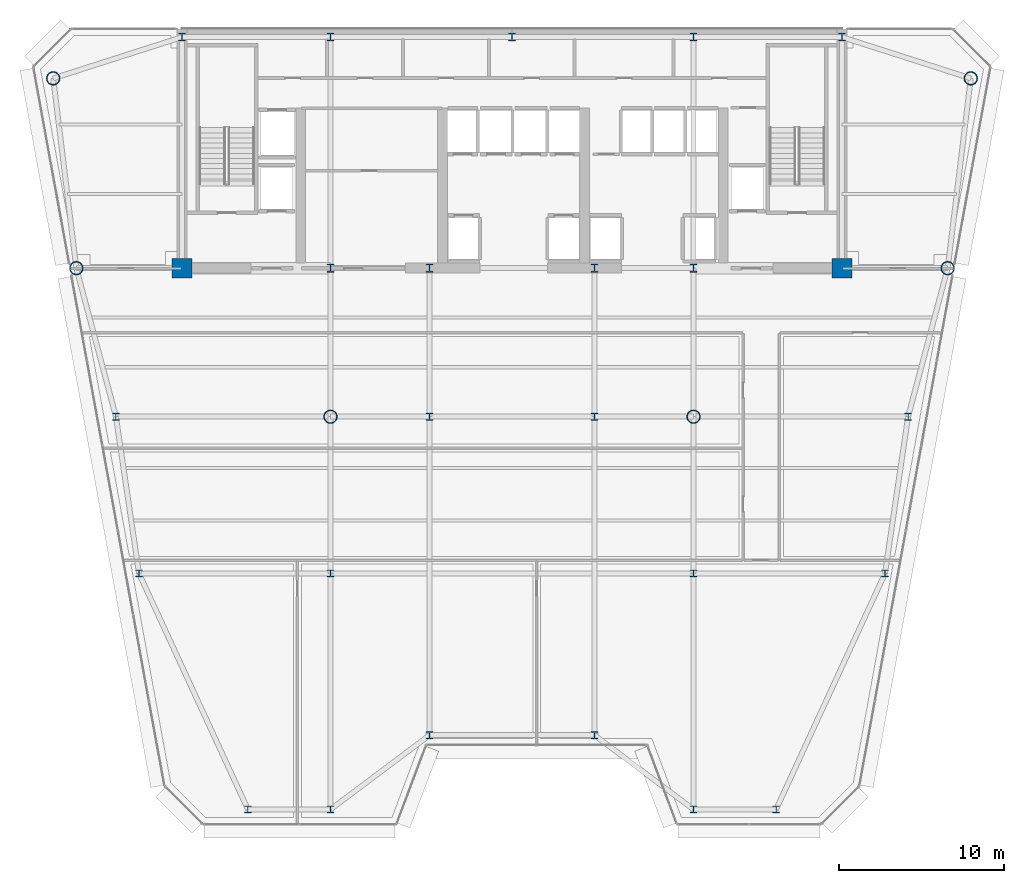
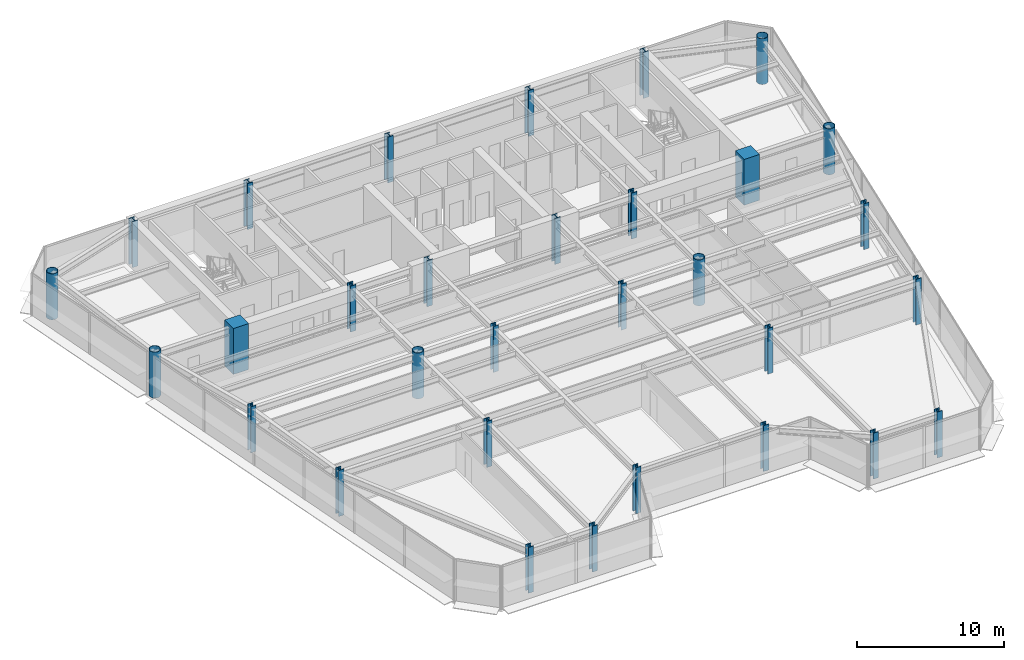
# One storey, part 1 of 17: 31 columns.
"""IFC4 building model written with IfcOpenShell, lengths in metres."""

from ifc_helpers import new_model, si_unit, direction, frame, origin, origin_2d, place, context, subcontext, project, spatial, rectangle, hollow_circle, i_section, extrude, source, transform, mapped, material, material_profile, profile_set, type_object, element, save


model = new_model("IFC4")

# Units and contexts
model_context = context("Model", 3, precision=1e-05, world=origin(), true_north=direction((0.0, 1.0)))
body_context = subcontext(model_context, "Body", "Model", "MODEL_VIEW")
ifc_project = project(units=[si_unit("LENGTHUNIT", "METRE"), si_unit("AREAUNIT", "SQUARE_METRE"), si_unit("VOLUMEUNIT", "CUBIC_METRE"), si_unit("PLANEANGLEUNIT", "RADIAN"), si_unit("MASSUNIT", "GRAM", prefix="KILO")], contexts=[model_context])

# Site, building, storey
site_placement = place(None, origin())
site = spatial("IfcSite", under=ifc_project, at=site_placement, CompositionType="ELEMENT")
building_placement = place(site_placement, origin())
building = spatial("IfcBuilding", under=site, at=building_placement, Name="Vaeldorn Concourse Tower", CompositionType="ELEMENT")
storey_placement = place(building_placement, frame((0.0, 0.0, 172.800048828125)))
storey = spatial("IfcBuildingStorey", under=building, at=storey_placement, Name="L44", CompositionType="ELEMENT", Elevation=172.800048828125)

# Columns
ifc_material_1 = material(Name="Concrete C50/60", Category="concrete")
ifc_material_profile_1 = material_profile(ifc_material_1, rectangle(XDim=1.199951171875, YDim=1.199951171875, at=origin_2d()), Name="RC 1200x1200")
ifc_profile_set_1 = profile_set([ifc_material_profile_1], Name="Concrete C50/60")
column_type_1 = type_object("IfcColumnType", Name="COL-RC1200", PredefinedType="COLUMN", material=ifc_profile_set_1)
shared_shape_1 = source(origin(), body_context, "Body", "SweptSolid", [
    extrude(rectangle(XDim=1.199951171875, YDim=1.199951171875, at=origin_2d()), origin(), (0.0, 0.0, 1.0), 3.800048828125),
])
for number, where, z_axis, x_axis, name in (
    (1, (14.0, 36.5, 0.0), (0.0, 0.0, 1.0), (1.0, 0.0, 0.0), "Column C-FC1 L44"),
    (2, (54.0, 36.5, 0.0), (0.0, 0.0, 1.0), (1.0, 0.0, 0.0), "Column C-FC6 L44"),
):
    element("IfcColumn", number, at=place(storey_placement, frame(where, z_axis=z_axis, x_axis=x_axis)), inside=storey, type_object=column_type_1, Name=name, PredefinedType="COLUMN", context=body_context, shape_type="MappedRepresentation", body=[
        mapped(shared_shape_1, transform((0.0, 0.0, 0.0), scale=1.0)),
    ])
ifc_material_2 = material(Name="Steel S460", Category="steel")
ifc_material_profile_2 = material_profile(ifc_material_2, i_section(OverallWidth=0.431884765625, OverallDepth=0.498046875, WebThickness=0.054931640625, FlangeThickness=0.068115234375, FilletRadius=0.014892578125, at=origin_2d()), Name="HD 400x744")
ifc_profile_set_2 = profile_set([ifc_material_profile_2], Name="Steel S460")
column_type_2 = type_object("IfcColumnType", Name="COL-HD744", PredefinedType="COLUMN", material=ifc_profile_set_2)
shared_shape_2 = source(origin(), body_context, "Body", "SweptSolid", [
    extrude(i_section(OverallWidth=0.431884765625, OverallDepth=0.498046875, WebThickness=0.054931640625, FlangeThickness=0.068115234375, FilletRadius=0.014892578125, at=origin_2d()), origin(), (0.0, 0.0, 1.0), 3.800048828125),
])
for number, where, z_axis, x_axis, name in (
    (3, (23.0, 36.5, 0.0), (0.0, 0.0, 1.0), (1.0, 0.0, 0.0), "Column C-FC2 L44"),
    (4, (29.0, 36.5, 0.0), (0.0, 0.0, 1.0), (1.0, 0.0, 0.0), "Column C-FC3 L44"),
    (5, (39.0, 36.5, 0.0), (0.0, 0.0, 1.0), (1.0, 0.0, 0.0), "Column C-FC4 L44"),
    (6, (45.0, 36.5, 0.0), (0.0, 0.0, 1.0), (1.0, 0.0, 0.0), "Column C-FC5 L44"),
    (7, (14.0, 50.5, 0.0), (0.0, 0.0, 1.0), (1.0, 0.0, 0.0), "Column C-HC1 L44"),
    (8, (23.0, 50.5, 0.0), (0.0, 0.0, 1.0), (1.0, 0.0, 0.0), "Column C-HC2 L44"),
    (9, (34.0, 50.5, 0.0), (0.0, 0.0, 1.0), (1.0, 0.0, 0.0), "Column C-HC3 L44"),
    (10, (45.0, 50.5, 0.0), (0.0, 0.0, 1.0), (1.0, 0.0, 0.0), "Column C-HC4 L44"),
    (11, (54.0, 50.5, 0.0), (0.0, 0.0, 1.0), (1.0, 0.0, 0.0), "Column C-HC5 L44"),
):
    element("IfcColumn", number, at=place(storey_placement, frame(where, z_axis=z_axis, x_axis=x_axis)), inside=storey, type_object=column_type_2, Name=name, PredefinedType="COLUMN", context=body_context, shape_type="MappedRepresentation", body=[
        mapped(shared_shape_2, transform((0.0, 0.0, 0.0), scale=1.0)),
    ])
ifc_material_profile_3 = material_profile(ifc_material_2, hollow_circle(Radius=0.406494140625, WallThickness=0.0400390625, at=origin_2d()), Name="CHS 813x40")
ifc_profile_set_3 = profile_set([ifc_material_profile_3], Name="Steel S460")
column_type_3 = type_object("IfcColumnType", Name="COL-CHS813", PredefinedType="COLUMN", material=ifc_profile_set_3)
shared_shape_3 = source(origin(), body_context, "Body", "SweptSolid", [
    extrude(hollow_circle(Radius=0.406494140625, WallThickness=0.0400390625, at=origin_2d()), origin(), (0.0, 0.0, 1.0), 3.800048828125),
])
for number, where, z_axis, x_axis, name in (
    (12, (6.199951171875, 48.0, 0.0), (0.0, 0.0, 1.0), (1.0, 0.0, 0.0), "Column C-NW1 L44"),
    (13, (7.60009765625, 36.5, 0.0), (0.0, 0.0, 1.0), (1.0, 0.0, 0.0), "Column C-NW2 L44"),
    (14, (61.800048828125, 48.0, 0.0), (0.0, 0.0, 1.0), (1.0, 0.0, 0.0), "Column C-NE1 L44"),
    (15, (60.39990234375, 36.5, 0.0), (0.0, 0.0, 1.0), (1.0, 0.0, 0.0), "Column C-NE2 L44"),
    (16, (23.0, 27.5, 0.0), (0.0, 0.0, 1.0), (1.0, 0.0, 0.0), "Column C-TW1 L44"),
    (17, (45.0, 27.5, 0.0), (0.0, 0.0, 1.0), (1.0, 0.0, 0.0), "Column C-TW4 L44"),
):
    element("IfcColumn", number, at=place(storey_placement, frame(where, z_axis=z_axis, x_axis=x_axis)), inside=storey, type_object=column_type_3, Name=name, PredefinedType="COLUMN", context=body_context, shape_type="MappedRepresentation", body=[
        mapped(shared_shape_3, transform((0.0, 0.0, 0.0), scale=1.0)),
    ])
ifc_material_3 = material(Name="Steel S355", Category="steel")
ifc_material_profile_4 = material_profile(ifc_material_3, i_section(OverallWidth=0.412109375, OverallDepth=0.43505859375, WebThickness=0.035888671875, FlangeThickness=0.050048828125, FilletRadius=0.014892578125, at=origin_2d()), Name="HD 400x463")
ifc_profile_set_4 = profile_set([ifc_material_profile_4], Name="Steel S355")
column_type_4 = type_object("IfcColumnType", Name="COL-HD463F", PredefinedType="COLUMN", material=ifc_profile_set_4)
shared_shape_4 = source(origin(), body_context, "Body", "SweptSolid", [
    extrude(i_section(OverallWidth=0.412109375, OverallDepth=0.43505859375, WebThickness=0.035888671875, FlangeThickness=0.050048828125, FilletRadius=0.014892578125, at=origin_2d()), origin(), (0.0, 0.0, 1.0), 3.800048828125),
])
for number, where, z_axis, x_axis, name in (
    (18, (10.0, 27.5, 0.0), (0.0, 0.0, 1.0), (1.0, 0.0, 0.0), "Column C-FLW1 L44"),
    (19, (11.39990234375, 18.0, 0.0), (0.0, 0.0, 1.0), (1.0, 0.0, 0.0), "Column C-FLW2 L44"),
    (20, (58.0, 27.5, 0.0), (0.0, 0.0, 1.0), (1.0, 0.0, 0.0), "Column C-FLE1 L44"),
    (21, (56.60009765625, 18.0, 0.0), (0.0, 0.0, 1.0), (1.0, 0.0, 0.0), "Column C-FLE2 L44"),
):
    element("IfcColumn", number, at=place(storey_placement, frame(where, z_axis=z_axis, x_axis=x_axis)), inside=storey, type_object=column_type_4, Name=name, PredefinedType="COLUMN", context=body_context, shape_type="MappedRepresentation", body=[
        mapped(shared_shape_4, transform((0.0, 0.0, 0.0), scale=1.0)),
    ])
ifc_material_profile_5 = material_profile(ifc_material_3, i_section(OverallWidth=0.412109375, OverallDepth=0.43505859375, WebThickness=0.035888671875, FlangeThickness=0.050048828125, FilletRadius=0.014892578125, at=origin_2d()), Name="HD 400x463")
ifc_profile_set_5 = profile_set([ifc_material_profile_5], Name="Steel S355")
column_type_5 = type_object("IfcColumnType", Name="COL-HD463T", PredefinedType="COLUMN", material=ifc_profile_set_5)
shared_shape_5 = source(origin(), body_context, "Body", "SweptSolid", [
    extrude(i_section(OverallWidth=0.412109375, OverallDepth=0.43505859375, WebThickness=0.035888671875, FlangeThickness=0.050048828125, FilletRadius=0.014892578125, at=origin_2d()), origin(), (0.0, 0.0, 1.0), 3.800048828125),
])
for number, where, z_axis, x_axis, name in (
    (22, (29.0, 27.5, 0.0), (0.0, 0.0, 1.0), (1.0, 0.0, 0.0), "Column C-TW2 L44"),
    (23, (39.0, 27.5, 0.0), (0.0, 0.0, 1.0), (1.0, 0.0, 0.0), "Column C-TW3 L44"),
    (24, (23.0, 18.0, 0.0), (0.0, 0.0, 1.0), (1.0, 0.0, 0.0), "Column C-TW5 L44"),
    (25, (45.0, 18.0, 0.0), (0.0, 0.0, 1.0), (1.0, 0.0, 0.0), "Column C-TW6 L44"),
    (26, (18.0, 3.699951171875, 0.0), (0.0, 0.0, 1.0), (1.0, 0.0, 0.0), "Column C-SF1 L44"),
    (27, (23.0, 3.699951171875, 0.0), (0.0, 0.0, 1.0), (1.0, 0.0, 0.0), "Column C-SF2 L44"),
    (28, (29.0, 8.199951171875, 0.0), (0.0, 0.0, 1.0), (1.0, 0.0, 0.0), "Column C-SF3 L44"),
    (29, (39.0, 8.199951171875, 0.0), (0.0, 0.0, 1.0), (1.0, 0.0, 0.0), "Column C-SF4 L44"),
    (30, (45.0, 3.699951171875, 0.0), (0.0, 0.0, 1.0), (1.0, 0.0, 0.0), "Column C-SF5 L44"),
    (31, (50.0, 3.699951171875, 0.0), (0.0, 0.0, 1.0), (1.0, 0.0, 0.0), "Column C-SF6 L44"),
):
    element("IfcColumn", number, at=place(storey_placement, frame(where, z_axis=z_axis, x_axis=x_axis)), inside=storey, type_object=column_type_5, Name=name, PredefinedType="COLUMN", context=body_context, shape_type="MappedRepresentation", body=[
        mapped(shared_shape_5, transform((0.0, 0.0, 0.0), scale=1.0)),
    ])

save(model, "model.ifc")
